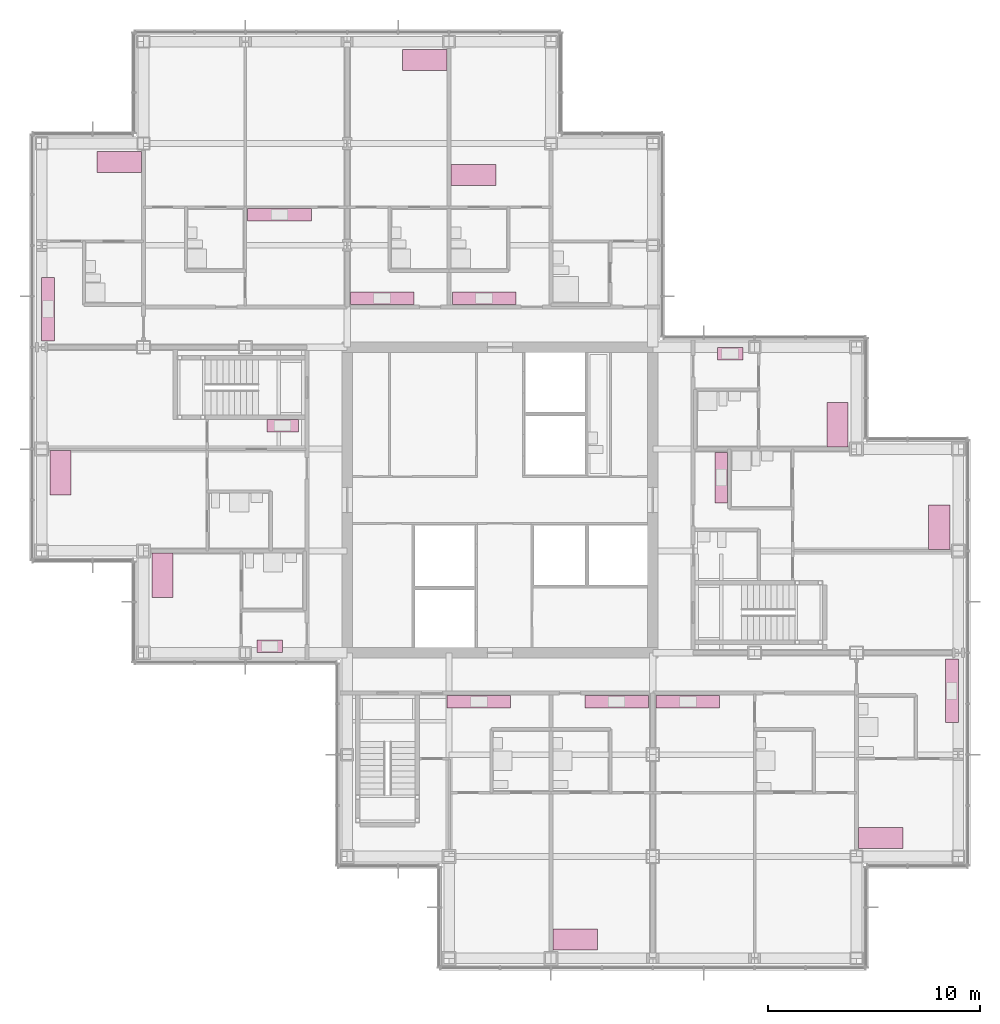
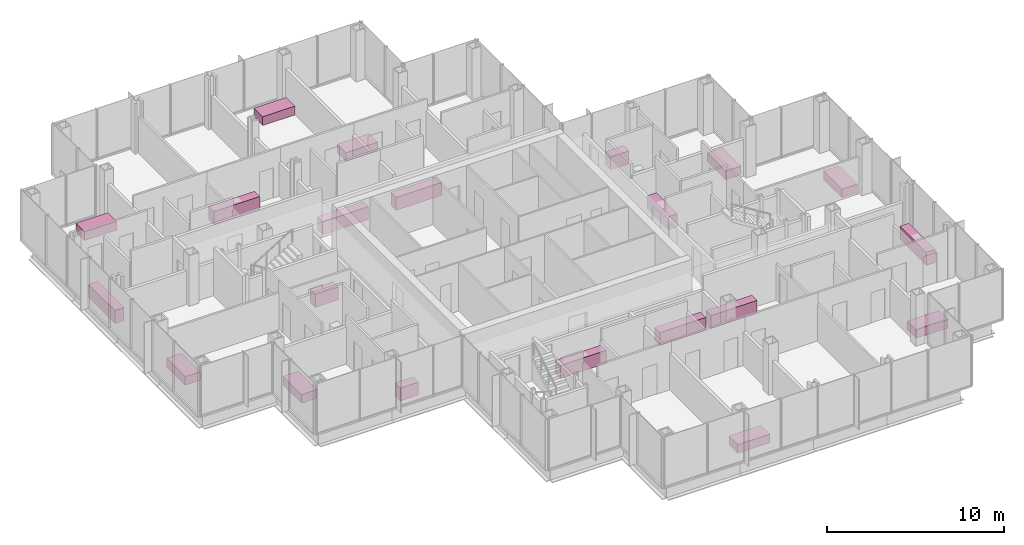
# One storey, part 19 of 19: 21 furniture elements.
"""IFC4 building model written with IfcOpenShell, lengths in metres."""

from ifc_helpers import new_model, si_unit, direction, frame, origin, origin_2d, place, context, subcontext, project, spatial, rectangle, extrude, material, type_object, element, save


model = new_model("IFC4")

# Units and contexts
model_context = context("Model", 3, precision=1e-05, world=origin(), true_north=direction((0.0, 1.0)))
body_context = subcontext(model_context, "Body", "Model", "MODEL_VIEW")
ifc_project = project(units=[si_unit("LENGTHUNIT", "METRE"), si_unit("AREAUNIT", "SQUARE_METRE"), si_unit("VOLUMEUNIT", "CUBIC_METRE"), si_unit("PLANEANGLEUNIT", "RADIAN"), si_unit("MASSUNIT", "GRAM", prefix="KILO")], contexts=[model_context])

# Site, building, storey
site_placement = place(None, origin())
site = spatial("IfcSite", under=ifc_project, at=site_placement, CompositionType="ELEMENT")
building_placement = place(site_placement, origin())
building = spatial("IfcBuilding", under=site, at=building_placement, Name="Kvirike Care Tower", CompositionType="ELEMENT")
storey_placement = place(building_placement, frame((0.0, 0.0, 98.0)))
storey = spatial("IfcBuildingStorey", under=building, at=storey_placement, Name="L26", CompositionType="ELEMENT", Elevation=98.0)

# Furniture
ifc_material_1 = material(Name="Steel frame", Category="steel")
furniture_type_1 = type_object("IfcFurnitureType", Name="CARE BED 1000 x 2100", AssemblyPlace="FACTORY", PredefinedType="BED", material=ifc_material_1)
for number, where, z_axis, x_axis, name in (
    (1, (0.89501953125, 37.2880859375, 0.0), (0.0, 0.0, 1.0), (1.0, 0.0, 0.0), "Care bed L26-004"),
    (2, (5.695068359375, 32.447998046875, 0.0), (0.0, 0.0, 1.0), (1.0, 0.0, 0.0), "Care bed L26-008"),
    (3, (3.64794921875, 51.929931640625, 0.0), (0.0, 0.0, 1.0), (0.0, -1.0, 0.0), "Care bed L26-017"),
    (4, (25.152099609375, 15.294921875, 0.0), (0.0, 0.0, 1.0), (0.0, 1.0, 0.0), "Care bed L26-026"),
    (5, (20.35205078125, 51.31005859375, 0.0), (0.0, 0.0, 1.0), (0.0, 1.0, 0.0), "Care bed L26-033"),
    (6, (18.048095703125, 56.72998046875, 0.0), (0.0, 0.0, 1.0), (0.0, -1.0, 0.0), "Care bed L26-036"),
    (7, (39.552001953125, 20.070068359375, 0.0), (0.0, 0.0, 1.0), (0.0, 1.0, 0.0), "Care bed L26-045"),
    (8, (42.304931640625, 34.7119140625, 0.0), (0.0, 0.0, 1.0), (-1.0, 0.0, 0.0), "Care bed L26-051"),
    (9, (37.5048828125, 39.552001953125, 0.0), (0.0, 0.0, 1.0), (-1.0, 0.0, 0.0), "Care bed L26-055"),
):
    element("IfcFurniture", number, at=place(storey_placement, frame(where, z_axis=z_axis, x_axis=x_axis)), inside=storey, type_object=furniture_type_1, Name=name, PredefinedType="BED", context=body_context, shape_type="SweptSolid", body=[
        extrude(rectangle(XDim=1.0, YDim=2.10009765625, at=origin_2d()), origin(), (0.0, 0.0, 1.0), 0.60009765625),
    ])
ifc_material_2 = material(Name="Laminated board", Category="wood")
furniture_type_2 = type_object("IfcFurnitureType", Name="KITCHEN UNIT RUN 600", AssemblyPlace="FACTORY", PredefinedType="USERDEFINED", material=ifc_material_2)
furniture_1_placement = place(storey_placement, frame((11.360107421875, 39.498046875, 0.0), z_axis=(0.0, 0.0, 1.0), x_axis=(1.0, 0.0, 0.0)))
element("IfcFurniture", 10, at=furniture_1_placement, inside=storey, type_object=furniture_type_2, Name="Kitchen unit run L26-006", ObjectType="KITCHEN UNIT", PredefinedType="USERDEFINED", context=body_context, shape_type="SweptSolid", body=[
    extrude(rectangle(XDim=1.5, YDim=0.60009765625, at=origin_2d()), origin(), (0.0, 0.0, 1.0), 0.89990234375),
])
furniture_2_placement = place(storey_placement, frame((10.75, 29.10205078125, 0.0), z_axis=(0.0, 0.0, 1.0), x_axis=(-1.0, 0.0, 0.0)))
element("IfcFurniture", 11, at=furniture_2_placement, inside=storey, type_object=furniture_type_2, Name="Kitchen unit run L26-010", ObjectType="KITCHEN UNIT", PredefinedType="USERDEFINED", context=body_context, shape_type="SweptSolid", body=[
    extrude(rectangle(XDim=1.199951171875, YDim=0.60009765625, at=origin_2d()), origin(), (0.0, 0.0, 1.0), 0.89990234375),
])
for number, where, z_axis, x_axis, name in (
    (12, (11.2099609375, 49.43798828125, 0.0), (0.0, 0.0, 1.0), (1.0, 0.0, 0.0), "Kitchen unit run L26-015"),
    (13, (0.302001953125, 44.9970703125, 0.0), (0.0, 0.0, 1.0), (0.0, 1.0, 0.0), "Kitchen unit run L26-019"),
    (14, (20.60009765625, 26.498046875, 0.0), (0.0, 0.0, 1.0), (1.0, 0.0, 0.0), "Kitchen unit run L26-025"),
    (15, (27.10009765625, 26.498046875, 0.0), (0.0, 0.0, 1.0), (1.0, 0.0, 0.0), "Kitchen unit run L26-028"),
    (16, (20.85009765625, 45.501953125, 0.0), (0.0, 0.0, 1.0), (-1.0, 0.0, 0.0), "Kitchen unit run L26-035"),
    (17, (16.050048828125, 45.501953125, 0.0), (0.0, 0.0, 1.0), (-1.0, 0.0, 0.0), "Kitchen unit run L26-038"),
    (18, (30.449951171875, 26.498046875, 0.0), (0.0, 0.0, 1.0), (1.0, 0.0, 0.0), "Kitchen unit run L26-043"),
    (19, (42.89794921875, 27.0029296875, 0.0), (0.0, 0.0, 1.0), (0.0, -1.0, 0.0), "Kitchen unit run L26-047"),
):
    element("IfcFurniture", number, at=place(storey_placement, frame(where, z_axis=z_axis, x_axis=x_axis)), inside=storey, type_object=furniture_type_2, Name=name, ObjectType="KITCHEN UNIT", PredefinedType="USERDEFINED", context=body_context, shape_type="SweptSolid", body=[
        extrude(rectangle(XDim=3.0, YDim=0.60009765625, at=origin_2d()), origin(), (0.0, 0.0, 1.0), 0.89990234375),
    ])
furniture_3_placement = place(storey_placement, frame((32.02294921875, 37.050048828125, 0.0), z_axis=(0.0, 0.0, 1.0), x_axis=(0.0, -1.0, 0.0)))
element("IfcFurniture", 20, at=furniture_3_placement, inside=storey, type_object=furniture_type_2, Name="Kitchen unit run L26-054", ObjectType="KITCHEN UNIT", PredefinedType="USERDEFINED", context=body_context, shape_type="SweptSolid", body=[
    extrude(rectangle(XDim=2.39990234375, YDim=0.60009765625, at=origin_2d()), origin(), (0.0, 0.0, 1.0), 0.89990234375),
])
furniture_4_placement = place(storey_placement, frame((32.449951171875, 42.89794921875, 0.0), z_axis=(0.0, 0.0, 1.0), x_axis=(1.0, 0.0, 0.0)))
element("IfcFurniture", 21, at=furniture_4_placement, inside=storey, type_object=furniture_type_2, Name="Kitchen unit run L26-057", ObjectType="KITCHEN UNIT", PredefinedType="USERDEFINED", context=body_context, shape_type="SweptSolid", body=[
    extrude(rectangle(XDim=1.199951171875, YDim=0.60009765625, at=origin_2d()), origin(), (0.0, 0.0, 1.0), 0.89990234375),
])

save(model, "model.ifc")
